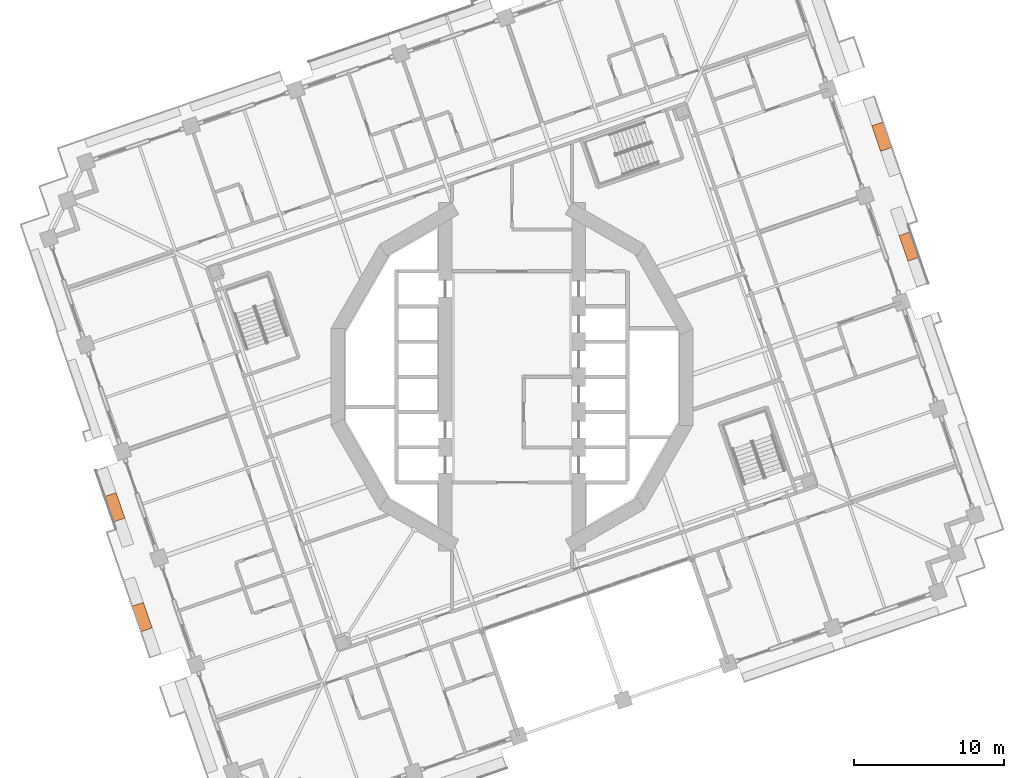
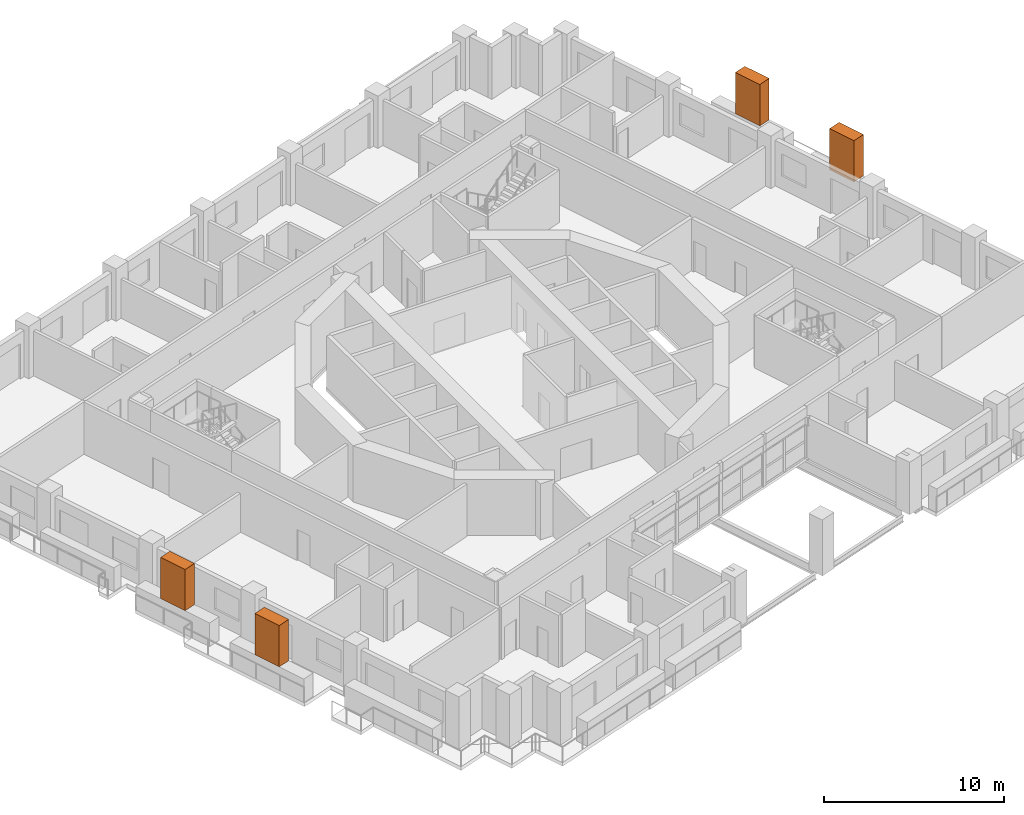
# One storey, part 22 of 22: 4 proxies.
"""IFC4 building model written with IfcOpenShell, lengths in metres."""

from ifc_helpers import new_model, si_unit, direction, frame, origin, origin_2d, place, context, subcontext, project, spatial, rectangle, extrude, element, save


model = new_model("IFC4")

# Units and contexts
model_context = context("Model", 3, precision=1e-05, world=origin(), true_north=direction((0.0, 1.0)))
body_context = subcontext(model_context, "Body", "Model", "MODEL_VIEW")
ifc_project = project(units=[si_unit("LENGTHUNIT", "METRE"), si_unit("AREAUNIT", "SQUARE_METRE"), si_unit("VOLUMEUNIT", "CUBIC_METRE"), si_unit("PLANEANGLEUNIT", "RADIAN"), si_unit("MASSUNIT", "GRAM", prefix="KILO")], contexts=[model_context])

# Site, building, storey
site_placement = place(None, origin())
site = spatial("IfcSite", under=ifc_project, at=site_placement, CompositionType="ELEMENT")
building_placement = place(site_placement, origin())
building = spatial("IfcBuilding", under=site, at=building_placement, Name="Cantera Rosa Tower", CompositionType="ELEMENT")
storey_placement = place(building_placement, frame((0.0, 0.0, 107.89990234375)))
storey = spatial("IfcBuildingStorey", under=building, at=storey_placement, Name="L21", CompositionType="ELEMENT", Elevation=107.89990234375)

# Proxies
for number, where, z_axis, x_axis, name in (
    (1, (26.5, 8.70166015625, 1.60009765625), (0.0, 0.0, 1.0), (-0.325568154457, 0.945518575599, 0.0), "TREE L21-03"),
    (2, (24.68017578125, 16.0283203125, 1.60009765625), (0.0, 0.0, 1.0), (-0.325568154457, 0.945518575599, 0.0), "TREE L21-04"),
    (3, (-26.5, -8.70166015625, 1.60009765625), (0.0, 0.0, 1.0), (0.325568154457, -0.945518575599, 0.0), "TREE L21-14"),
    (4, (-24.68017578125, -16.0283203125, 1.60009765625), (0.0, 0.0, 1.0), (0.325568154457, -0.945518575599, 0.0), "TREE L21-15"),
):
    element("IfcBuildingElementProxy", number, at=place(storey_placement, frame(where, z_axis=z_axis, x_axis=x_axis)), inside=storey, Name=name, ObjectType="TREE", PredefinedType="USERDEFINED", context=body_context, shape_type="SweptSolid", body=[
        extrude(rectangle(XDim=1.800048828125, YDim=0.800048828125, at=origin_2d()), origin(), (0.0, 0.0, 1.0), 2.800048828125),
    ])

save(model, "model.ifc")
